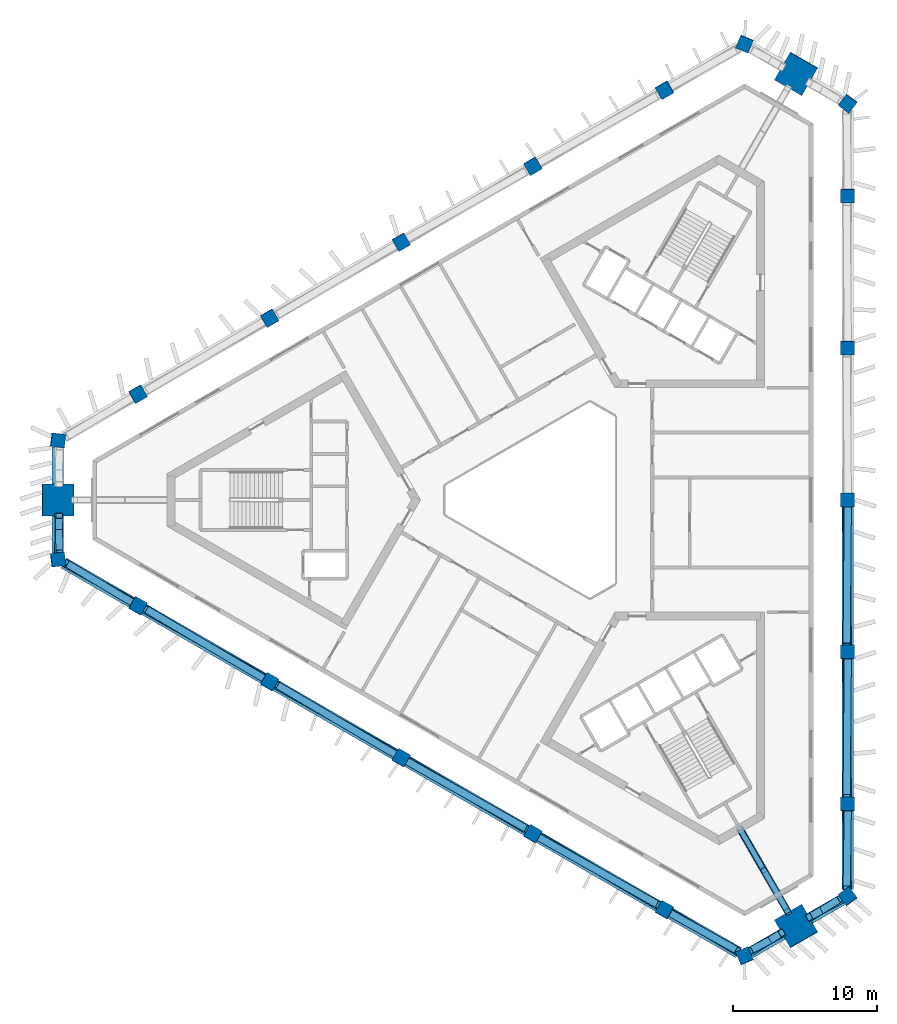
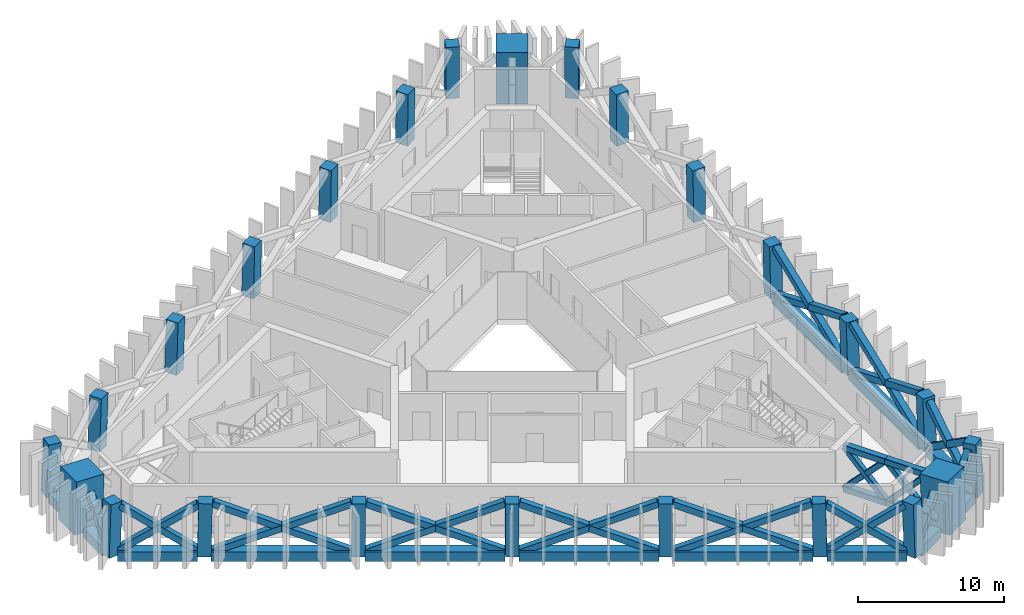
# One storey, part 1 of 9: 45 members, 24 columns.
"""IFC4 building model written with IfcOpenShell, lengths in metres."""

from ifc_helpers import new_model, si_unit, direction, frame, origin, origin_2d, place, context, subcontext, project, spatial, rectangle, hollow_rectangle, extrude, material, material_profile, profile_set, type_object, element, save


model = new_model("IFC4")

# Units and contexts
model_context = context("Model", 3, precision=1e-05, world=origin(), true_north=direction((0.0, 1.0)))
body_context = subcontext(model_context, "Body", "Model", "MODEL_VIEW")
ifc_project = project(units=[si_unit("LENGTHUNIT", "METRE"), si_unit("AREAUNIT", "SQUARE_METRE"), si_unit("VOLUMEUNIT", "CUBIC_METRE"), si_unit("PLANEANGLEUNIT", "RADIAN"), si_unit("MASSUNIT", "GRAM", prefix="KILO")], contexts=[model_context])

# Site, building, storey
site_placement = place(None, origin())
site = spatial("IfcSite", under=ifc_project, at=site_placement, CompositionType="ELEMENT")
building_placement = place(site_placement, origin())
building = spatial("IfcBuilding", under=site, at=building_placement, Name="Jabali Bay Hotel Tower and Convention Centre", CompositionType="ELEMENT")
storey_placement = place(building_placement, frame((0.0, 0.0, 197.0)))
storey = spatial("IfcBuildingStorey", under=building, at=storey_placement, Name="L48", CompositionType="ELEMENT", Elevation=197.0)

# Columns
ifc_material_1 = material(Name="Concrete C60", Category="concrete")
ifc_material_profile_1 = material_profile(ifc_material_1, rectangle(XDim=0.949951171875, YDim=0.949951171875, at=origin_2d()), Name="Frame column 950")
ifc_profile_set_1 = profile_set([ifc_material_profile_1], Name="Concrete C60")
column_type_1 = type_object("IfcColumnType", Name="Frame column 950", PredefinedType="COLUMN", material=ifc_profile_set_1)
column_1_placement = place(storey_placement, frame((82.94970703125, 108.467041015625, 0.0), z_axis=(-0.008375041015, -0.028120170824, 0.99956946466), x_axis=(0.866041761712, 0.499517368092, 0.021308823196)))
element("IfcColumn", 1, at=column_1_placement, inside=storey, type_object=column_type_1, Name="FC4 F1.1 L48", PredefinedType="COLUMN", context=body_context, shape_type="SweptSolid", body=[
    extrude(rectangle(XDim=0.949951171875, YDim=0.949951171875, at=origin_2d()), origin(), (0.0, 0.0, 1.0), 4.40185546875),
])
column_2_placement = place(storey_placement, frame((73.80517578125, 103.1875, 0.0), z_axis=(0.000887572667, -0.022799522891, 0.999739663098), x_axis=(0.865381690599, 0.500999952794, 0.010657245231)))
element("IfcColumn", 2, at=column_2_placement, inside=storey, type_object=column_type_1, Name="FC4 F1.2 L48", PredefinedType="COLUMN", context=body_context, shape_type="SweptSolid", body=[
    extrude(rectangle(XDim=0.949951171875, YDim=0.949951171875, at=origin_2d()), origin(), (0.0, 0.0, 1.0), 4.401123046875),
])
column_3_placement = place(storey_placement, frame((64.660888671875, 97.907958984375, 0.0), z_axis=(0.010041240412, -0.017475086904, 0.999796876785), x_axis=(-0.498107573272, 0.866880983918, 0.020154532277)))
element("IfcColumn", 3, at=column_3_placement, inside=storey, type_object=column_type_1, Name="FC4 F1.3 L48", PredefinedType="COLUMN", context=body_context, shape_type="SweptSolid", body=[
    extrude(rectangle(XDim=0.949951171875, YDim=0.949951171875, at=origin_2d()), origin(), (0.0, 0.0, 1.0), 4.40087890625),
])
column_4_placement = place(storey_placement, frame((55.516357421875, 92.62841796875, 0.0), z_axis=(0.01930470884, -0.012148652977, 0.999739835381), x_axis=(-0.499386744752, 0.86614439953, 0.020168250509)))
element("IfcColumn", 4, at=column_4_placement, inside=storey, type_object=column_type_1, Name="FC4 F1.4 L48", PredefinedType="COLUMN", context=body_context, shape_type="SweptSolid", body=[
    extrude(rectangle(XDim=0.949951171875, YDim=0.949951171875, at=origin_2d()), origin(), (0.0, 0.0, 1.0), 4.401123046875),
])
for number, where, z_axis, x_axis, name in (
    (5, (46.3720703125, 87.34912109375, 0.0), (0.028508440779, -0.006822058786, 0.999570271826), (-0.499236532397, 0.866231399918, 0.02015059593), "FC4 F1.5 L48"),
    (6, (46.3720703125, 72.65087890625, 0.0), (0.028508440779, 0.006822058786, 0.999570271826), (-0.86599662443, 0.499596458464, 0.021289085594), "FC4 F2.1 L48"),
):
    element("IfcColumn", number, at=place(storey_placement, frame(where, z_axis=z_axis, x_axis=x_axis)), inside=storey, type_object=column_type_1, Name=name, PredefinedType="COLUMN", context=body_context, shape_type="SweptSolid", body=[
        extrude(rectangle(XDim=0.949951171875, YDim=0.949951171875, at=origin_2d()), origin(), (0.0, 0.0, 1.0), 4.40185546875),
    ])
column_5_placement = place(storey_placement, frame((55.516357421875, 67.37158203125, 0.0), z_axis=(0.01930470884, 0.012148652977, 0.999739835381), x_axis=(-0.866164076479, 0.499646164194, 0.010653789183)))
element("IfcColumn", 7, at=column_5_placement, inside=storey, type_object=column_type_1, Name="FC4 F2.2 L48", PredefinedType="COLUMN", context=body_context, shape_type="SweptSolid", body=[
    extrude(rectangle(XDim=0.949951171875, YDim=0.949951171875, at=origin_2d()), origin(), (0.0, 0.0, 1.0), 4.401123046875),
])
column_6_placement = place(storey_placement, frame((64.660888671875, 62.092041015625, 0.0), z_axis=(0.010041240412, 0.017475086904, 0.999796876785), x_axis=(-0.867057102468, 0.498208772564, 8.7237e-08)))
element("IfcColumn", 8, at=column_6_placement, inside=storey, type_object=column_type_1, Name="FC4 F2.3 L48", PredefinedType="COLUMN", context=body_context, shape_type="SweptSolid", body=[
    extrude(rectangle(XDim=0.949951171875, YDim=0.949951171875, at=origin_2d()), origin(), (0.0, 0.0, 1.0), 4.40087890625),
])
column_7_placement = place(storey_placement, frame((73.80517578125, 56.8125, 0.0), z_axis=(0.000887572667, 0.022799522891, 0.999739663098), x_axis=(-0.501112504125, -0.865146940731, 0.020174963528)))
element("IfcColumn", 9, at=column_7_placement, inside=storey, type_object=column_type_1, Name="FC4 F2.4 L48", PredefinedType="COLUMN", context=body_context, shape_type="SweptSolid", body=[
    extrude(rectangle(XDim=0.949951171875, YDim=0.949951171875, at=origin_2d()), origin(), (0.0, 0.0, 1.0), 4.401123046875),
])
for number, where, z_axis, x_axis, name in (
    (10, (82.94970703125, 51.532958984375, 0.0), (-0.008375041015, 0.028120170824, 0.99956946466), (-0.49990151596, -0.865847362396, 0.020169763834), "FC4 F2.5 L48"),
    (11, (95.678466796875, 58.8818359375, 0.0), (-0.020188813544, 0.021353552787, 0.999568125538), (-0.000778316803, -0.999771926641, 0.021342186463), "FC4 F0.1 L48"),
):
    element("IfcColumn", number, at=place(storey_placement, frame(where, z_axis=z_axis, x_axis=x_axis)), inside=storey, type_object=column_type_1, Name=name, PredefinedType="COLUMN", context=body_context, shape_type="SweptSolid", body=[
        extrude(rectangle(XDim=0.949951171875, YDim=0.949951171875, at=origin_2d()), origin(), (0.0, 0.0, 1.0), 4.40185546875),
    ])
column_8_placement = place(storey_placement, frame((95.678466796875, 69.44091796875, 0.0), z_axis=(-0.020192272495, 0.010650869008, 0.999739381599), x_axis=(0.000500586277, -0.999943021709, 0.010663149127)))
element("IfcColumn", 12, at=column_8_placement, inside=storey, type_object=column_type_1, Name="FC4 F0.2 L48", PredefinedType="COLUMN", context=body_context, shape_type="SweptSolid", body=[
    extrude(rectangle(XDim=0.949951171875, YDim=0.949951171875, at=origin_2d()), origin(), (0.0, 0.0, 1.0), 4.401123046875),
])
column_9_placement = place(storey_placement, frame((95.678466796875, 80.0, 0.0), z_axis=(-0.020193417908, 0.0, 0.999796092147), x_axis=(0.0, -1.0, 0.0)))
element("IfcColumn", 13, at=column_9_placement, inside=storey, type_object=column_type_1, Name="FC4 F0.3 L48", PredefinedType="COLUMN", context=body_context, shape_type="SweptSolid", body=[
    extrude(rectangle(XDim=0.949951171875, YDim=0.949951171875, at=origin_2d()), origin(), (0.0, 0.0, 1.0), 4.40087890625),
])
column_10_placement = place(storey_placement, frame((95.678466796875, 90.55908203125, 0.0), z_axis=(-0.020192272495, -0.010650869008, 0.999739381599), x_axis=(0.999795989962, -0.000715769027, 0.020185790295)))
element("IfcColumn", 14, at=column_10_placement, inside=storey, type_object=column_type_1, Name="FC4 F0.4 L48", PredefinedType="COLUMN", context=body_context, shape_type="SweptSolid", body=[
    extrude(rectangle(XDim=0.949951171875, YDim=0.949951171875, at=origin_2d()), origin(), (0.0, 0.0, 1.0), 4.401123046875),
])
column_11_placement = place(storey_placement, frame((95.678466796875, 101.1181640625, 0.0), z_axis=(-0.020188813544, -0.021353552787, 0.999568125538), x_axis=(0.999795882183, 0.000347107245, 0.020200828843)))
element("IfcColumn", 15, at=column_11_placement, inside=storey, type_object=column_type_1, Name="FC4 F0.5 L48", PredefinedType="COLUMN", context=body_context, shape_type="SweptSolid", body=[
    extrude(rectangle(XDim=0.949951171875, YDim=0.949951171875, at=origin_2d()), origin(), (0.0, 0.0, 1.0), 4.40185546875),
])
for number, where, z_axis, x_axis, name in (
    (16, (95.678466796875, 52.4619140625, 0.0), (-0.020184923639, 0.029001964459, 0.999375532478), (-0.799544801849, -0.6006050861, 0.001280776393), "FC4 V0 L48"),
    (17, (95.678466796875, 107.5380859375, 0.0), (-0.020184923639, -0.029001964459, 0.999375532478), (0.600267172761, 0.799019659713, 0.035311537727), "FC4 V1 L48"),
    (18, (88.509521484375, 111.67724609375, 0.0), (-0.015027778584, -0.031996414181, 0.999375002364), (0.91994037345, -0.392056205359, 0.001281068179), "FC4 V2 L48"),
    (19, (40.81201171875, 84.138916015625, 0.0), (0.035212709707, -0.002939013566, 0.999375518649), (-0.992243788951, 0.119186117578, 0.03531193376), "FC4 V3 L48"),
    (20, (40.81201171875, 75.861083984375, 0.0), (0.035212709707, 0.002939013566, 0.999375518649), (-0.119215470323, 0.992867580081, 0.001280648203), "FC4 V4 L48"),
    (21, (88.509521484375, 48.32275390625, 0.0), (-0.015027778584, 0.031996414181, 0.999375002364), (0.391770181569, -0.919384664501, 0.035326527057), "FC4 V5 L48"),
):
    element("IfcColumn", number, at=place(storey_placement, frame(where, z_axis=z_axis, x_axis=x_axis)), inside=storey, type_object=column_type_1, Name=name, PredefinedType="COLUMN", context=body_context, shape_type="SweptSolid", body=[
        extrude(rectangle(XDim=0.949951171875, YDim=0.949951171875, at=origin_2d()), origin(), (0.0, 0.0, 1.0), 4.402587890625),
    ])
ifc_material_2 = material(Name="Concrete C70", Category="concrete")
ifc_material_profile_2 = material_profile(ifc_material_2, rectangle(XDim=2.199951171875, YDim=2.199951171875, at=origin_2d()), Name="Mega column 2200")
ifc_profile_set_2 = profile_set([ifc_material_profile_2], Name="Concrete C70")
column_type_2 = type_object("IfcColumnType", Name="Mega column 2200", PredefinedType="COLUMN", material=ifc_profile_set_2)
for number, where, z_axis, x_axis, name in (
    (22, (92.093994140625, 109.607666015625, 0.0), (-0.01757871061, -0.030499340175, 0.999380197514), (0.866397254159, -0.499355382454, 1.37011e-07), "MC4 M1 L48"),
    (23, (40.81201171875, 80.0, 0.0), (0.035212861788, 0.0, 0.99937983488), (0.0, 1.0, 0.0), "MC4 M0 L48"),
    (24, (92.093994140625, 50.392333984375, 0.0), (-0.01757871061, 0.030499340175, 0.999380197514), (0.49904867404, -0.865858649042, 0.035202568341), "MC4 M2 L48"),
):
    element("IfcColumn", number, at=place(storey_placement, frame(where, z_axis=z_axis, x_axis=x_axis)), inside=storey, type_object=column_type_2, Name=name, PredefinedType="COLUMN", context=body_context, shape_type="SweptSolid", body=[
        extrude(rectangle(XDim=2.199951171875, YDim=2.199951171875, at=origin_2d()), origin(), (0.0, 0.0, 1.0), 4.402587890625),
    ])

# Members
ifc_material_3 = material(Name="Steel Q420GJC", Category="steel")
ifc_material_profile_3 = material_profile(ifc_material_3, hollow_rectangle(XDim=0.5, YDim=0.5, WallThickness=0.030029296875, at=origin_2d()), Name="Belt brace 500x500x30")
ifc_profile_set_3 = profile_set([ifc_material_profile_3], Name="Steel Q420GJC")
member_type_1 = type_object("IfcMemberType", Name="Belt brace 500x500x30", PredefinedType="BRACE", material=ifc_profile_set_3)
member_1_placement = place(storey_placement, frame((40.853271484375, 78.90087890625, 1.17236328125), z_axis=(0.025709058742, -0.683808628576, 0.729208340451), x_axis=(0.999293986366, 0.037570318248, 0.0)))
element("IfcMember", 25, at=member_1_placement, inside=storey, type_object=member_type_1, Name="Belt brace T4 M0-V4 x1", PredefinedType="BRACE", context=body_context, shape_type="SweptSolid", body=[
    extrude(hollow_rectangle(XDim=0.5, YDim=0.5, WallThickness=0.030029296875, at=origin_2d()), origin(), (0.0, 0.0, 1.0), 3.73193359375),
])
member_2_placement = place(storey_placement, frame((40.829833984375, 76.335693359375, 0.504638671875), z_axis=(0.025620250874, 0.684966859884, 0.728123618354), x_axis=(-0.999301217149, 0.037377498652, 0.0)))
element("IfcMember", 26, at=member_2_placement, inside=storey, type_object=member_type_1, Name="Belt brace T4 M0-V4 x2", PredefinedType="BRACE", context=body_context, shape_type="SweptSolid", body=[
    extrude(hollow_rectangle(XDim=0.5, YDim=0.5, WallThickness=0.030029296875, at=origin_2d()), origin(), (0.0, 0.0, 1.0), 3.744873046875),
])
member_3_placement = place(storey_placement, frame((41.2265625, 75.629150390625, 0.32080078125), z_axis=(0.723247541346, -0.404527053339, 0.559706045218), x_axis=(0.488151729076, 0.872758780764, 0.0)))
element("IfcMember", 27, at=member_3_placement, inside=storey, type_object=member_type_1, Name="Belt brace T4 V4-F2.1 x1", PredefinedType="BRACE", context=body_context, shape_type="SweptSolid", body=[
    extrude(hollow_rectangle(XDim=0.5, YDim=0.5, WallThickness=0.030029296875, at=origin_2d()), origin(), (0.0, 0.0, 1.0), 6.71484375),
])
member_4_placement = place(storey_placement, frame((45.964111328125, 72.894287109375, 0.33203125), z_axis=(-0.703893904601, 0.419745000621, 0.573016147694), x_axis=(-0.512168914762, -0.858884743579, 0.0)))
element("IfcMember", 28, at=member_4_placement, inside=storey, type_object=member_type_1, Name="Belt brace T4 V4-F2.1 x2", PredefinedType="BRACE", context=body_context, shape_type="SweptSolid", body=[
    extrude(hollow_rectangle(XDim=0.5, YDim=0.5, WallThickness=0.030029296875, at=origin_2d()), origin(), (0.0, 0.0, 1.0), 6.51953125),
])
member_5_placement = place(storey_placement, frame((46.785400390625, 72.4169921875, 0.197021484375), z_axis=(0.803755306287, -0.455135170533, 0.383183225312), x_axis=(0.492745256493, 0.870173610381, 0.0)))
element("IfcMember", 29, at=member_5_placement, inside=storey, type_object=member_type_1, Name="Belt brace T4 F2.1-F2.2 x1", PredefinedType="BRACE", context=body_context, shape_type="SweptSolid", body=[
    extrude(hollow_rectangle(XDim=0.5, YDim=0.5, WallThickness=0.030029296875, at=origin_2d()), origin(), (0.0, 0.0, 1.0), 10.4541015625),
])
member_6_placement = place(storey_placement, frame((55.10693359375, 67.612548828125, 0.19970703125), z_axis=(-0.794403246553, 0.467673069762, 0.387563390538), x_axis=(-0.507323960573, -0.861755417174, 0.0)))
element("IfcMember", 30, at=member_6_placement, inside=storey, type_object=member_type_1, Name="Belt brace T4 F2.1-F2.2 x2", PredefinedType="BRACE", context=body_context, shape_type="SweptSolid", body=[
    extrude(hollow_rectangle(XDim=0.5, YDim=0.5, WallThickness=0.030029296875, at=origin_2d()), origin(), (0.0, 0.0, 1.0), 10.322265625),
])
member_7_placement = place(storey_placement, frame((55.9296875, 67.137451171875, 0.197998046875), z_axis=(0.803250428554, -0.454802357915, 0.384634325384), x_axis=(0.492706767001, 0.87019540435, 0.0)))
element("IfcMember", 31, at=member_7_placement, inside=storey, type_object=member_type_1, Name="Belt brace T4 F2.2-F2.3 x1", PredefinedType="BRACE", context=body_context, shape_type="SweptSolid", body=[
    extrude(hollow_rectangle(XDim=0.5, YDim=0.5, WallThickness=0.030029296875, at=origin_2d()), origin(), (0.0, 0.0, 1.0), 10.410400390625),
])
member_8_placement = place(storey_placement, frame((64.25146484375, 62.3330078125, 0.19873046875), z_axis=(-0.794946502346, 0.467961930486, 0.386098031625), x_axis=(-0.507299036611, -0.861770089672, 0.0)))
element("IfcMember", 32, at=member_8_placement, inside=storey, type_object=member_type_1, Name="Belt brace T4 F2.2-F2.3 x2", PredefinedType="BRACE", context=body_context, shape_type="SweptSolid", body=[
    extrude(hollow_rectangle(XDim=0.5, YDim=0.5, WallThickness=0.030029296875, at=origin_2d()), origin(), (0.0, 0.0, 1.0), 10.366455078125),
])
member_9_placement = place(storey_placement, frame((65.07421875, 61.85791015625, 0.19873046875), z_axis=(0.802730891943, -0.454474182075, 0.3861040442), x_axis=(0.492678845652, 0.870211212894, 0.0)))
element("IfcMember", 33, at=member_9_placement, inside=storey, type_object=member_type_1, Name="Belt brace T4 F2.3-F2.4 x1", PredefinedType="BRACE", context=body_context, shape_type="SweptSolid", body=[
    extrude(hollow_rectangle(XDim=0.5, YDim=0.5, WallThickness=0.030029296875, at=origin_2d()), origin(), (0.0, 0.0, 1.0), 10.3662109375),
])
member_10_placement = place(storey_placement, frame((73.395751953125, 57.053466796875, 0.197998046875), z_axis=(-0.795490457327, 0.468241818131, 0.38463558345), x_axis=(-0.507266594802, -0.861789186401, 0.0)))
element("IfcMember", 34, at=member_10_placement, inside=storey, type_object=member_type_1, Name="Belt brace T4 F2.3-F2.4 x2", PredefinedType="BRACE", context=body_context, shape_type="SweptSolid", body=[
    extrude(hollow_rectangle(XDim=0.5, YDim=0.5, WallThickness=0.030029296875, at=origin_2d()), origin(), (0.0, 0.0, 1.0), 10.41015625),
])
member_11_placement = place(storey_placement, frame((74.218505859375, 56.578369140625, 0.19970703125), z_axis=(0.802220643403, -0.454137583996, 0.387557859036), x_axis=(0.492639648155, 0.870233403787, 0.0)))
element("IfcMember", 35, at=member_11_placement, inside=storey, type_object=member_type_1, Name="Belt brace T4 F2.4-F2.5 x1", PredefinedType="BRACE", context=body_context, shape_type="SweptSolid", body=[
    extrude(hollow_rectangle(XDim=0.5, YDim=0.5, WallThickness=0.030029296875, at=origin_2d()), origin(), (0.0, 0.0, 1.0), 10.322265625),
])
member_12_placement = place(storey_placement, frame((82.540283203125, 51.77392578125, 0.197021484375), z_axis=(-0.796036428012, 0.468509485105, 0.383177331851), x_axis=(-0.507223414722, -0.861814601616, 0.0)))
element("IfcMember", 36, at=member_12_placement, inside=storey, type_object=member_type_1, Name="Belt brace T4 F2.4-F2.5 x2", PredefinedType="BRACE", context=body_context, shape_type="SweptSolid", body=[
    extrude(hollow_rectangle(XDim=0.5, YDim=0.5, WallThickness=0.030029296875, at=origin_2d()), origin(), (0.0, 0.0, 1.0), 10.454345703125),
])
member_13_placement = place(storey_placement, frame((83.3642578125, 51.30126953125, 0.33203125), z_axis=(0.715462752504, -0.39970948499, 0.573014290737), x_axis=(0.487720993745, 0.872999560286, 0.0)))
element("IfcMember", 37, at=member_13_placement, inside=storey, type_object=member_type_1, Name="Belt brace T4 F2.5-V5 x1", PredefinedType="BRACE", context=body_context, shape_type="SweptSolid", body=[
    extrude(hollow_rectangle(XDim=0.5, YDim=0.5, WallThickness=0.030029296875, at=origin_2d()), origin(), (0.0, 0.0, 1.0), 6.51953125),
])
member_14_placement = place(storey_placement, frame((88.1015625, 48.56591796875, 0.32080078125), z_axis=(-0.711965008173, 0.424081291764, 0.559697136953), x_axis=(-0.511744544943, -0.8591376611, 0.0)))
element("IfcMember", 38, at=member_14_placement, inside=storey, type_object=member_type_1, Name="Belt brace T4 F2.5-V5 x2", PredefinedType="BRACE", context=body_context, shape_type="SweptSolid", body=[
    extrude(hollow_rectangle(XDim=0.5, YDim=0.5, WallThickness=0.030029296875, at=origin_2d()), origin(), (0.0, 0.0, 1.0), 6.71484375),
])
member_15_placement = place(storey_placement, frame((88.91162109375, 48.57568359375, 0.504638671875), z_axis=(0.580393874567, 0.364677449661, 0.728116273732), x_axis=(-0.532023507699, 0.846729583312, 0.0)))
element("IfcMember", 39, at=member_15_placement, inside=storey, type_object=member_type_1, Name="Belt brace T4 V5-M2 x1", PredefinedType="BRACE", context=body_context, shape_type="SweptSolid", body=[
    extrude(hollow_rectangle(XDim=0.5, YDim=0.5, WallThickness=0.030029296875, at=origin_2d()), origin(), (0.0, 0.0, 1.0), 3.7451171875),
])
for number, where, z_axis, x_axis, name in (
    (40, (91.121337890625, 49.87841796875, 1.17236328125), (-0.605049461083, -0.319631491713, 0.729212492452), (0.467101290382, -0.884203813905, 0.0), "Belt brace T4 V5-M2 x2"),
    (41, (93.025390625, 50.977783203125, 1.17236328125), (0.579350055568, 0.3641217716, 0.72922482717), (-0.53212846986, 0.846663623622, 0.0), "Belt brace T4 M2-V0 x1"),
):
    element("IfcMember", number, at=place(storey_placement, frame(where, z_axis=z_axis, x_axis=x_axis)), inside=storey, type_object=member_type_1, Name=name, PredefinedType="BRACE", context=body_context, shape_type="SweptSolid", body=[
        extrude(hollow_rectangle(XDim=0.5, YDim=0.5, WallThickness=0.030029296875, at=origin_2d()), origin(), (0.0, 0.0, 1.0), 3.73193359375),
    ])
member_16_placement = place(storey_placement, frame((95.258544921875, 52.239990234375, 0.504638671875), z_axis=(-0.606017807507, -0.320284583507, 0.72812100818), x_axis=(0.467262722055, -0.884118515007, 0.0)))
element("IfcMember", 42, at=member_16_placement, inside=storey, type_object=member_type_1, Name="Belt brace T4 M2-V0 x2", PredefinedType="BRACE", context=body_context, shape_type="SweptSolid", body=[
    extrude(hollow_rectangle(XDim=0.5, YDim=0.5, WallThickness=0.030029296875, at=origin_2d()), origin(), (0.0, 0.0, 1.0), 3.744873046875),
])
member_17_placement = place(storey_placement, frame((95.671875, 52.936767578125, 0.32080078125), z_axis=(-0.011271196461, 0.828614733397, 0.559705801049), x_axis=(-0.999907499415, -0.013601198983, 0.0)))
element("IfcMember", 43, at=member_17_placement, inside=storey, type_object=member_type_1, Name="Belt brace T4 V0-F0.1 x1", PredefinedType="BRACE", context=body_context, shape_type="SweptSolid", body=[
    extrude(hollow_rectangle(XDim=0.5, YDim=0.5, WallThickness=0.030029296875, at=origin_2d()), origin(), (0.0, 0.0, 1.0), 6.71484375),
])
member_18_placement = place(storey_placement, frame((95.671630859375, 58.406982421875, 0.33203125), z_axis=(-0.01153378677, -0.819460571064, 0.573019497255), x_axis=(0.999900963976, -0.014073458708, 0.0)))
element("IfcMember", 44, at=member_18_placement, inside=storey, type_object=member_type_1, Name="Belt brace T4 V0-F0.1 x2", PredefinedType="BRACE", context=body_context, shape_type="SweptSolid", body=[
    extrude(hollow_rectangle(XDim=0.5, YDim=0.5, WallThickness=0.030029296875, at=origin_2d()), origin(), (0.0, 0.0, 1.0), 6.51953125),
])
member_19_placement = place(storey_placement, frame((95.674560546875, 59.35693359375, 0.197021484375), z_axis=(-0.007753255419, 0.923641581563, 0.38317896059), x_axis=(-0.999964770354, -0.008393929452, 0.0)))
element("IfcMember", 45, at=member_19_placement, inside=storey, type_object=member_type_1, Name="Belt brace T4 F0.1-F0.2 x1", PredefinedType="BRACE", context=body_context, shape_type="SweptSolid", body=[
    extrude(hollow_rectangle(XDim=0.5, YDim=0.5, WallThickness=0.030029296875, at=origin_2d()), origin(), (0.0, 0.0, 1.0), 10.454345703125),
])
member_20_placement = place(storey_placement, frame((95.67431640625, 68.966064453125, 0.19970703125), z_axis=(-0.007804973184, -0.921814635897, 0.387552395736), x_axis=(0.99996415717, -0.008466662524, 0.0)))
element("IfcMember", 46, at=member_20_placement, inside=storey, type_object=member_type_1, Name="Belt brace T4 F0.1-F0.2 x2", PredefinedType="BRACE", context=body_context, shape_type="SweptSolid", body=[
    extrude(hollow_rectangle(XDim=0.5, YDim=0.5, WallThickness=0.030029296875, at=origin_2d()), origin(), (0.0, 0.0, 1.0), 10.322509765625),
])
member_21_placement = place(storey_placement, frame((95.674560546875, 69.916015625, 0.197998046875), z_axis=(-0.00778614718, 0.923033676799, 0.384640361126), x_axis=(-0.999964424013, -0.00843508788, 0.0)))
element("IfcMember", 47, at=member_21_placement, inside=storey, type_object=member_type_1, Name="Belt brace T4 F0.2-F0.3 x1", PredefinedType="BRACE", context=body_context, shape_type="SweptSolid", body=[
    extrude(hollow_rectangle(XDim=0.5, YDim=0.5, WallThickness=0.030029296875, at=origin_2d()), origin(), (0.0, 0.0, 1.0), 10.41015625),
])
member_22_placement = place(storey_placement, frame((95.67431640625, 79.52490234375, 0.19873046875), z_axis=(-0.007772029149, -0.922422101971, 0.386104987482), x_axis=(0.999964505887, -0.008425376269, 0.0)))
element("IfcMember", 48, at=member_22_placement, inside=storey, type_object=member_type_1, Name="Belt brace T4 F0.2-F0.3 x2", PredefinedType="BRACE", context=body_context, shape_type="SweptSolid", body=[
    extrude(hollow_rectangle(XDim=0.5, YDim=0.5, WallThickness=0.030029296875, at=origin_2d()), origin(), (0.0, 0.0, 1.0), 10.3662109375),
])
ifc_material_profile_4 = material_profile(ifc_material_3, hollow_rectangle(XDim=0.800048828125, YDim=0.800048828125, WallThickness=0.0400390625, at=origin_2d()), Name="Belt chord 800x800x40")
ifc_profile_set_4 = profile_set([ifc_material_profile_4], Name="Steel Q420GJC")
member_type_2 = type_object("IfcMemberType", Name="Belt chord 800x800x40", PredefinedType="CHORD", material=ifc_profile_set_4)
for number, where, z_axis, x_axis, name in (
    (49, (40.81201171875, 83.6640625, 0.0), (0.0, -1.0, 0.0), (1.0, 0.0, 0.0), "Belt chord T4 V3-M0"),
    (50, (40.81201171875, 78.89990234375, 0.0), (0.0, -1.0, 0.0), (1.0, 0.0, 0.0), "Belt chord T4 M0-V4"),
):
    element("IfcMember", number, at=place(storey_placement, frame(where, z_axis=z_axis, x_axis=x_axis)), inside=storey, type_object=member_type_2, Name=name, PredefinedType="CHORD", context=body_context, shape_type="SweptSolid", body=[
        extrude(hollow_rectangle(XDim=0.800048828125, YDim=0.800048828125, WallThickness=0.0400390625, at=origin_2d()), origin(), (0.0, 0.0, 1.0), 2.56396484375),
    ])
member_23_placement = place(storey_placement, frame((41.223388671875, 75.62353515625, 0.0), z_axis=(0.866023560542, -0.500003192576, 0.0), x_axis=(0.500003192576, 0.866023560542, 0.0)))
element("IfcMember", 51, at=member_23_placement, inside=storey, type_object=member_type_2, Name="Belt chord T4 V4-F2.1", PredefinedType="CHORD", context=body_context, shape_type="SweptSolid", body=[
    extrude(hollow_rectangle(XDim=0.800048828125, YDim=0.800048828125, WallThickness=0.0400390625, at=origin_2d()), origin(), (0.0, 0.0, 1.0), 5.47021484375),
])
for number, where, z_axis, x_axis, name in (
    (52, (46.783203125, 72.41357421875, 0.0), (0.866020577108, -0.500008359956, 0.0), (0.500008359956, 0.866020577108, 0.0), "Belt chord T4 F2.1-F2.2"),
    (53, (55.927734375, 67.134033203125, 0.0), (0.866020577108, -0.500008359956, 0.0), (0.500008359956, 0.866020577108, 0.0), "Belt chord T4 F2.2-F2.3"),
    (54, (65.072021484375, 61.8544921875, 0.0), (0.866020577108, -0.500008359956, 0.0), (0.500008359956, 0.866020577108, 0.0), "Belt chord T4 F2.3-F2.4"),
    (55, (74.216552734375, 56.574951171875, 0.0), (0.866031578683, -0.499989304609, 0.0), (0.499989304609, 0.866031578683, 0.0), "Belt chord T4 F2.4-F2.5"),
):
    element("IfcMember", number, at=place(storey_placement, frame(where, z_axis=z_axis, x_axis=x_axis)), inside=storey, type_object=member_type_2, Name=name, PredefinedType="CHORD", context=body_context, shape_type="SweptSolid", body=[
        extrude(hollow_rectangle(XDim=0.800048828125, YDim=0.800048828125, WallThickness=0.0400390625, at=origin_2d()), origin(), (0.0, 0.0, 1.0), 9.609130859375),
    ])
member_24_placement = place(storey_placement, frame((83.36083984375, 51.29541015625, 0.0), z_axis=(0.866023560542, -0.500003192576, 0.0), x_axis=(0.500003192576, 0.866023560542, 0.0)))
element("IfcMember", 56, at=member_24_placement, inside=storey, type_object=member_type_2, Name="Belt chord T4 F2.5-V5", PredefinedType="CHORD", context=body_context, shape_type="SweptSolid", body=[
    extrude(hollow_rectangle(XDim=0.800048828125, YDim=0.800048828125, WallThickness=0.0400390625, at=origin_2d()), origin(), (0.0, 0.0, 1.0), 5.47021484375),
])
for number, where, z_axis, x_axis, name in (
    (57, (88.9208984375, 48.560302734375, 0.0), (0.866025432576, 0.499999950132, 0.0), (-0.499999950132, 0.866025432576, 0.0), "Belt chord T4 V5-M2"),
    (58, (93.046630859375, 50.9423828125, 0.0), (0.866025432576, 0.499999950132, 0.0), (-0.499999950132, 0.866025432576, 0.0), "Belt chord T4 M2-V0"),
):
    element("IfcMember", number, at=place(storey_placement, frame(where, z_axis=z_axis, x_axis=x_axis)), inside=storey, type_object=member_type_2, Name=name, PredefinedType="CHORD", context=body_context, shape_type="SweptSolid", body=[
        extrude(hollow_rectangle(XDim=0.800048828125, YDim=0.800048828125, WallThickness=0.0400390625, at=origin_2d()), origin(), (0.0, 0.0, 1.0), 2.56396484375),
    ])
member_25_placement = place(storey_placement, frame((95.678466796875, 52.936767578125, 0.0), z_axis=(0.0, 1.0, 0.0), x_axis=(-1.0, 0.0, 0.0)))
element("IfcMember", 59, at=member_25_placement, inside=storey, type_object=member_type_2, Name="Belt chord T4 V0-F0.1", PredefinedType="CHORD", context=body_context, shape_type="SweptSolid", body=[
    extrude(hollow_rectangle(XDim=0.800048828125, YDim=0.800048828125, WallThickness=0.0400390625, at=origin_2d()), origin(), (0.0, 0.0, 1.0), 5.47021484375),
])
member_26_placement = place(storey_placement, frame((95.678466796875, 59.35693359375, 0.0), z_axis=(0.0, 1.0, 0.0), x_axis=(-1.0, 0.0, 0.0)))
element("IfcMember", 60, at=member_26_placement, inside=storey, type_object=member_type_2, Name="Belt chord T4 F0.1-F0.2", PredefinedType="CHORD", context=body_context, shape_type="SweptSolid", body=[
    extrude(hollow_rectangle(XDim=0.800048828125, YDim=0.800048828125, WallThickness=0.0400390625, at=origin_2d()), origin(), (0.0, 0.0, 1.0), 9.609130859375),
])
member_27_placement = place(storey_placement, frame((95.678466796875, 69.916015625, 0.0), z_axis=(0.0, 1.0, 0.0), x_axis=(-1.0, 0.0, 0.0)))
element("IfcMember", 61, at=member_27_placement, inside=storey, type_object=member_type_2, Name="Belt chord T4 F0.2-F0.3", PredefinedType="CHORD", context=body_context, shape_type="SweptSolid", body=[
    extrude(hollow_rectangle(XDim=0.800048828125, YDim=0.800048828125, WallThickness=0.0400390625, at=origin_2d()), origin(), (0.0, 0.0, 1.0), 9.60888671875),
])
ifc_material_profile_5 = material_profile(ifc_material_3, hollow_rectangle(XDim=0.39990234375, YDim=0.39990234375, WallThickness=0.011962890625, InnerFilletRadius=0.01806640625, OuterFilletRadius=0.030029296875, at=origin_2d()), Name="Outrigger brace 400x400x12")
ifc_profile_set_5 = profile_set([ifc_material_profile_5], Name="Steel Q420GJC")
member_type_3 = type_object("IfcMemberType", Name="Outrigger brace 400x400x12", PredefinedType="BRACE", material=ifc_profile_set_5)
member_28_placement = place(storey_placement, frame((88.1640625, 57.19921875, 0.25), z_axis=(0.346437866364, -0.600002420489, 0.721094931445), x_axis=(0.866008961582, 0.500028477648, 0.0)))
element("IfcMember", 62, at=member_28_placement, inside=storey, type_object=member_type_3, Name="Outrigger brace T4 3.1x1", PredefinedType="BRACE", context=body_context, shape_type="SweptSolid", body=[
    extrude(hollow_rectangle(XDim=0.39990234375, YDim=0.39990234375, WallThickness=0.011962890625, InnerFilletRadius=0.01806640625, OuterFilletRadius=0.030029296875, at=origin_2d()), origin(), (0.0, 0.0, 1.0), 4.784423828125),
])
member_29_placement = place(storey_placement, frame((89.851806640625, 54.27587890625, 0.25), z_axis=(-0.349671887314, 0.60566630677, 0.714771219389), x_axis=(-0.866031420653, -0.499989578334, 0.0)))
element("IfcMember", 63, at=member_29_placement, inside=storey, type_object=member_type_3, Name="Outrigger brace T4 3.1x2", PredefinedType="BRACE", context=body_context, shape_type="SweptSolid", body=[
    extrude(hollow_rectangle(XDim=0.39990234375, YDim=0.39990234375, WallThickness=0.011962890625, InnerFilletRadius=0.01806640625, OuterFilletRadius=0.030029296875, at=origin_2d()), origin(), (0.0, 0.0, 1.0), 4.82666015625),
])
member_30_placement = place(storey_placement, frame((89.851806640625, 54.27587890625, 0.25), z_axis=(0.343061116971, -0.594230863324, 0.727460480779), x_axis=(0.866036909293, 0.499980071345, 0.0)))
element("IfcMember", 64, at=member_30_placement, inside=storey, type_object=member_type_3, Name="Outrigger brace T4 3.2x1", PredefinedType="BRACE", context=body_context, shape_type="SweptSolid", body=[
    extrude(hollow_rectangle(XDim=0.39990234375, YDim=0.39990234375, WallThickness=0.011962890625, InnerFilletRadius=0.01806640625, OuterFilletRadius=0.030029296875, at=origin_2d()), origin(), (0.0, 0.0, 1.0), 4.742431640625),
])
member_31_placement = place(storey_placement, frame((91.53955078125, 51.3525390625, 0.25), z_axis=(-0.352821317797, 0.61118258689, 0.70850050331), x_axis=(-0.866053083246, -0.499952054701, 0.0)))
element("IfcMember", 65, at=member_31_placement, inside=storey, type_object=member_type_3, Name="Outrigger brace T4 3.2x2", PredefinedType="BRACE", context=body_context, shape_type="SweptSolid", body=[
    extrude(hollow_rectangle(XDim=0.39990234375, YDim=0.39990234375, WallThickness=0.011962890625, InnerFilletRadius=0.01806640625, OuterFilletRadius=0.030029296875, at=origin_2d()), origin(), (0.0, 0.0, 1.0), 4.869384765625),
])
ifc_material_profile_6 = material_profile(ifc_material_3, hollow_rectangle(XDim=0.5, YDim=0.5, WallThickness=0.01611328125, InnerFilletRadius=0.02392578125, OuterFilletRadius=0.0400390625, at=origin_2d()), Name="Outrigger chord 500x500x16")
ifc_profile_set_6 = profile_set([ifc_material_profile_6], Name="Steel Q420GJC")
member_type_4 = type_object("IfcMemberType", Name="Outrigger chord 500x500x16", PredefinedType="CHORD", material=ifc_profile_set_6)
for number, where, z_axis, x_axis, name in (
    (66, (88.1640625, 57.19921875, 0.25), (0.499989578334, -0.866031420653, 0.0), (0.866031420653, 0.499989578334, 0.0), "Outrigger chord T4 3.lo1"),
    (67, (89.851806640625, 54.27587890625, 0.25), (0.499989578334, -0.866031420653, 0.0), (0.866031420653, 0.499989578334, 0.0), "Outrigger chord T4 3.lo2"),
):
    element("IfcMember", number, at=place(storey_placement, frame(where, z_axis=z_axis, x_axis=x_axis)), inside=storey, type_object=member_type_4, Name=name, PredefinedType="CHORD", context=body_context, shape_type="SweptSolid", body=[
        extrude(hollow_rectangle(XDim=0.5, YDim=0.5, WallThickness=0.01611328125, InnerFilletRadius=0.02392578125, OuterFilletRadius=0.0400390625, at=origin_2d()), origin(), (0.0, 0.0, 1.0), 3.37548828125),
    ])
member_32_placement = place(storey_placement, frame((88.1640625, 57.19921875, 3.699951171875), z_axis=(0.500028477648, -0.866008961582, 0.0), x_axis=(0.866008961582, 0.500028477648, 0.0)))
element("IfcMember", 68, at=member_32_placement, inside=storey, type_object=member_type_4, Name="Outrigger chord T4 3.hi1", PredefinedType="CHORD", context=body_context, shape_type="SweptSolid", body=[
    extrude(hollow_rectangle(XDim=0.5, YDim=0.5, WallThickness=0.01611328125, InnerFilletRadius=0.02392578125, OuterFilletRadius=0.0400390625, at=origin_2d()), origin(), (0.0, 0.0, 1.0), 3.314697265625),
])
member_33_placement = place(storey_placement, frame((89.821533203125, 54.32861328125, 3.699951171875), z_axis=(0.499941346221, -0.866059264911, 0.0), x_axis=(0.866059264911, 0.499941346221, 0.0)))
element("IfcMember", 69, at=member_33_placement, inside=storey, type_object=member_type_4, Name="Outrigger chord T4 3.hi2", PredefinedType="CHORD", context=body_context, shape_type="SweptSolid", body=[
    extrude(hollow_rectangle(XDim=0.5, YDim=0.5, WallThickness=0.01611328125, InnerFilletRadius=0.02392578125, OuterFilletRadius=0.0400390625, at=origin_2d()), origin(), (0.0, 0.0, 1.0), 3.31494140625),
])

save(model, "model.ifc")
